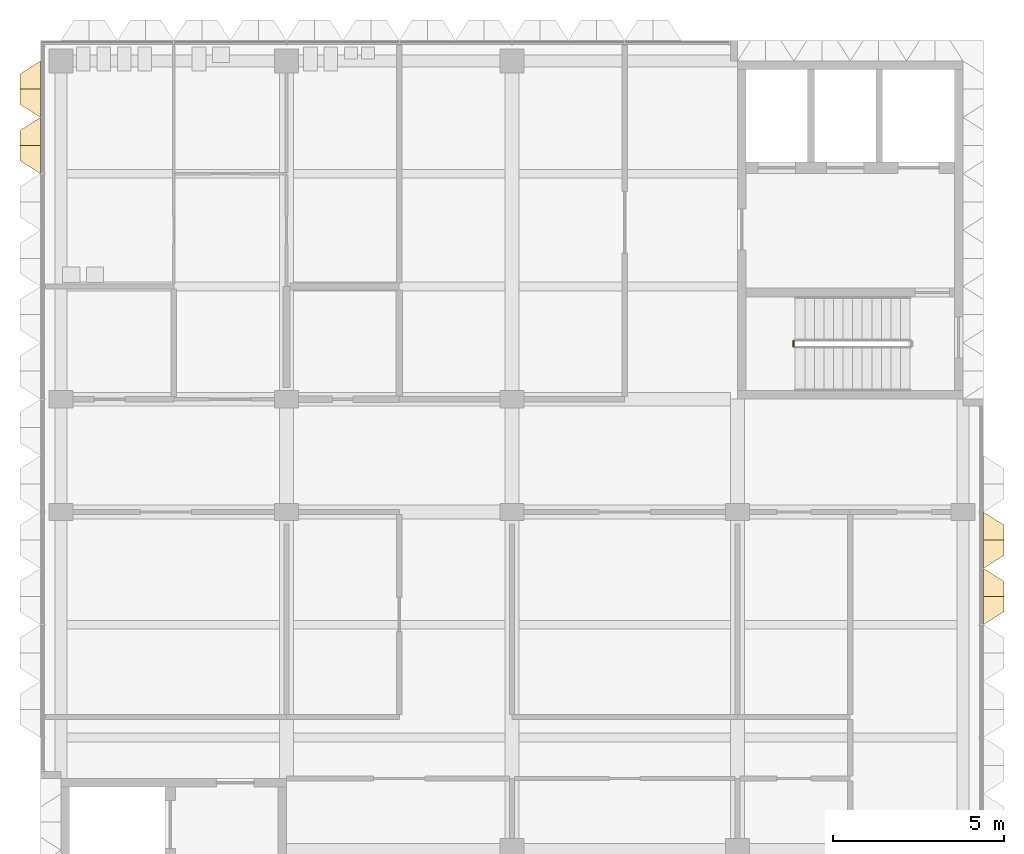
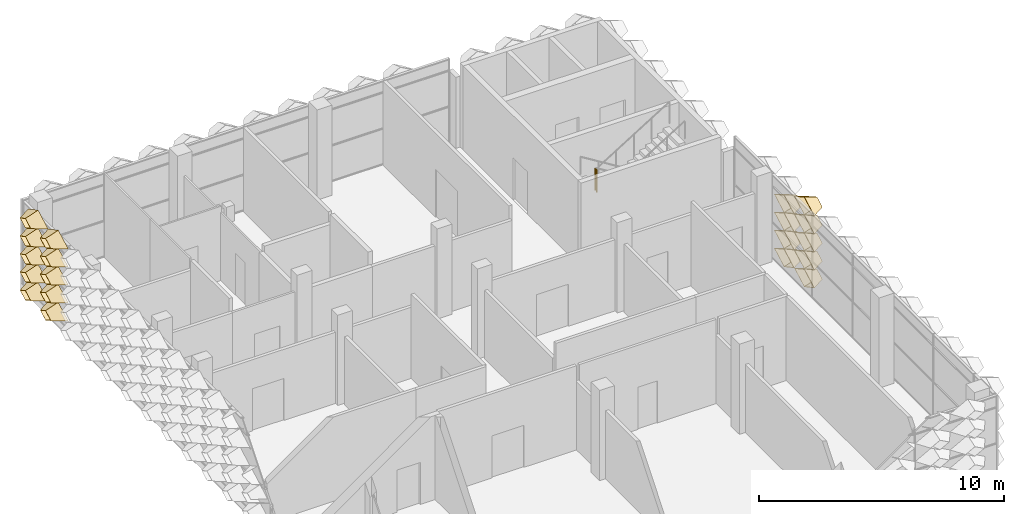
# One storey, part 21 of 28: 19 coverings, 1 railing.
"""IFC4 building model written with IfcOpenShell, lengths in metres."""

from ifc_helpers import new_model, entity, si_unit, direction, frame, origin, origin_2d, place, context, subcontext, project, spatial, circle, extrude, material, layer, layer_set, type_object, element, save


model = new_model("IFC4")

# Units and contexts
model_context = context("Model", 3, precision=1e-05, world=origin(), true_north=direction((0.0, 1.0)))
body_context = subcontext(model_context, "Body", "Model", "MODEL_VIEW")
ifc_project = project(units=[si_unit("LENGTHUNIT", "METRE"), si_unit("AREAUNIT", "SQUARE_METRE"), si_unit("VOLUMEUNIT", "CUBIC_METRE"), si_unit("PLANEANGLEUNIT", "RADIAN"), si_unit("MASSUNIT", "GRAM", prefix="KILO")], contexts=[model_context])

# Site, building, storey
site_placement = place(None, origin())
site = spatial("IfcSite", under=ifc_project, at=site_placement, CompositionType="ELEMENT")
building_placement = place(site_placement, origin())
building = spatial("IfcBuilding", under=site, at=building_placement, Name="Lantern Court Research Institute", CompositionType="ELEMENT")
storey_placement = place(building_placement, frame((0.0, 0.0, 36.89990234375)))
storey = spatial("IfcBuildingStorey", under=building, at=storey_placement, Name="L08", CompositionType="ELEMENT", Elevation=36.89990234375)

# Coverings
ifc_material_1 = material(Name="Anodised aluminium", Category="aluminium")
ifc_layer = layer(ifc_material_1, 0.01611328125)
ifc_layer_set = layer_set([ifc_layer], Name="Anodised aluminium")
covering_type = type_object("IfcCoveringType", Name="Fin cassette 1650 x 900 x 600 aluminium", PredefinedType="CLADDING", material=ifc_layer_set)
covering_1_placement = place(storey_placement, frame((79.800048828125, 7.425048828125, 0.4501953125), z_axis=(1.0, 0.0, 0.0), x_axis=(0.0, 1.0, 0.0)))
cartesian_point_1 = entity("IfcCartesianPoint", [0.824951171875, 0.0])
cartesian_point_2 = entity("IfcCartesianPoint", [0.79150390625, 0.0])
cartesian_point_3 = entity("IfcCartesianPoint", [0.44189453125, 0.0])
cartesian_point_4 = entity("IfcCartesianPoint", [0.43359375, 0.0])
element("IfcCovering", 1, at=covering_1_placement, inside=storey, type_object=covering_type, Name="Fin cassette V5E-L08 1.5", PredefinedType="CLADDING", context=body_context, shape_type="SweptSolid", body=[
    entity("IfcExtrudedAreaSolidTapered", entity("IfcArbitraryProfileDefWithVoids", "AREA", None, entity("IfcPolyline", [cartesian_point_1, entity("IfcCartesianPoint", [0.0, 0.449951171875]), entity("IfcCartesianPoint", [-0.824951171875, 0.0]), entity("IfcCartesianPoint", [0.0, -0.449951171875]), cartesian_point_1]), [entity("IfcPolyline", [cartesian_point_2, entity("IfcCartesianPoint", [0.0, 0.431884765625]), entity("IfcCartesianPoint", [-0.79150390625, 0.0]), entity("IfcCartesianPoint", [0.0, -0.431884765625]), cartesian_point_2])]), entity("IfcAxis2Placement3D", entity("IfcCartesianPoint", [0.0, 0.0, 0.0])), entity("IfcDirection", [0.0, 0.0, 1.0]), 0.60009765625, entity("IfcArbitraryProfileDefWithVoids", "AREA", None, entity("IfcPolyline", [cartesian_point_3, entity("IfcCartesianPoint", [0.0, 0.240966796875]), entity("IfcCartesianPoint", [-0.44189453125, 0.0]), entity("IfcCartesianPoint", [0.0, -0.240966796875]), cartesian_point_3]), [entity("IfcPolyline", [cartesian_point_4, entity("IfcCartesianPoint", [0.0, 0.236572265625]), entity("IfcCartesianPoint", [-0.43359375, 0.0]), entity("IfcCartesianPoint", [0.0, -0.236572265625]), cartesian_point_4])])),
])
covering_2_placement = place(storey_placement, frame((79.800048828125, 9.074951171875, 0.4501953125), z_axis=(1.0, 0.0, 0.0), x_axis=(0.0, 1.0, 0.0)))
cartesian_point_5 = entity("IfcCartesianPoint", [0.824951171875, 0.0])
cartesian_point_6 = entity("IfcCartesianPoint", [0.79150390625, 0.0])
cartesian_point_7 = entity("IfcCartesianPoint", [0.44189453125, 0.0])
cartesian_point_8 = entity("IfcCartesianPoint", [0.43359375, 0.0])
element("IfcCovering", 2, at=covering_2_placement, inside=storey, type_object=covering_type, Name="Fin cassette V5E-L08 1.6", PredefinedType="CLADDING", context=body_context, shape_type="SweptSolid", body=[
    entity("IfcExtrudedAreaSolidTapered", entity("IfcArbitraryProfileDefWithVoids", "AREA", None, entity("IfcPolyline", [cartesian_point_5, entity("IfcCartesianPoint", [0.0, 0.449951171875]), entity("IfcCartesianPoint", [-0.824951171875, 0.0]), entity("IfcCartesianPoint", [0.0, -0.449951171875]), cartesian_point_5]), [entity("IfcPolyline", [cartesian_point_6, entity("IfcCartesianPoint", [0.0, 0.431884765625]), entity("IfcCartesianPoint", [-0.79150390625, 0.0]), entity("IfcCartesianPoint", [0.0, -0.431884765625]), cartesian_point_6])]), entity("IfcAxis2Placement3D", entity("IfcCartesianPoint", [0.0, 0.0, 0.0])), entity("IfcDirection", [0.0, 0.0, 1.0]), 0.60009765625, entity("IfcArbitraryProfileDefWithVoids", "AREA", None, entity("IfcPolyline", [cartesian_point_7, entity("IfcCartesianPoint", [0.0, 0.240966796875]), entity("IfcCartesianPoint", [-0.44189453125, 0.0]), entity("IfcCartesianPoint", [0.0, -0.240966796875]), cartesian_point_7]), [entity("IfcPolyline", [cartesian_point_8, entity("IfcCartesianPoint", [0.0, 0.236572265625]), entity("IfcCartesianPoint", [-0.43359375, 0.0]), entity("IfcCartesianPoint", [0.0, -0.236572265625]), cartesian_point_8])])),
])
covering_3_placement = place(storey_placement, frame((79.800048828125, 7.425048828125, 1.35009765625), z_axis=(1.0, 0.0, 0.0), x_axis=(0.0, 1.0, 0.0)))
cartesian_point_9 = entity("IfcCartesianPoint", [0.824951171875, 0.0])
cartesian_point_10 = entity("IfcCartesianPoint", [0.79150390625, 0.0])
cartesian_point_11 = entity("IfcCartesianPoint", [0.44189453125, 0.0])
cartesian_point_12 = entity("IfcCartesianPoint", [0.43359375, 0.0])
element("IfcCovering", 3, at=covering_3_placement, inside=storey, type_object=covering_type, Name="Fin cassette V5E-L08 2.5", PredefinedType="CLADDING", context=body_context, shape_type="SweptSolid", body=[
    entity("IfcExtrudedAreaSolidTapered", entity("IfcArbitraryProfileDefWithVoids", "AREA", None, entity("IfcPolyline", [cartesian_point_9, entity("IfcCartesianPoint", [0.0, 0.449951171875]), entity("IfcCartesianPoint", [-0.824951171875, 0.0]), entity("IfcCartesianPoint", [0.0, -0.449951171875]), cartesian_point_9]), [entity("IfcPolyline", [cartesian_point_10, entity("IfcCartesianPoint", [0.0, 0.431884765625]), entity("IfcCartesianPoint", [-0.79150390625, 0.0]), entity("IfcCartesianPoint", [0.0, -0.431884765625]), cartesian_point_10])]), entity("IfcAxis2Placement3D", entity("IfcCartesianPoint", [0.0, 0.0, 0.0])), entity("IfcDirection", [0.0, 0.0, 1.0]), 0.60009765625, entity("IfcArbitraryProfileDefWithVoids", "AREA", None, entity("IfcPolyline", [cartesian_point_11, entity("IfcCartesianPoint", [0.0, 0.240966796875]), entity("IfcCartesianPoint", [-0.44189453125, 0.0]), entity("IfcCartesianPoint", [0.0, -0.240966796875]), cartesian_point_11]), [entity("IfcPolyline", [cartesian_point_12, entity("IfcCartesianPoint", [0.0, 0.236572265625]), entity("IfcCartesianPoint", [-0.43359375, 0.0]), entity("IfcCartesianPoint", [0.0, -0.236572265625]), cartesian_point_12])])),
])
covering_4_placement = place(storey_placement, frame((79.800048828125, 9.074951171875, 1.35009765625), z_axis=(1.0, 0.0, 0.0), x_axis=(0.0, 1.0, 0.0)))
cartesian_point_13 = entity("IfcCartesianPoint", [0.824951171875, 0.0])
cartesian_point_14 = entity("IfcCartesianPoint", [0.79150390625, 0.0])
cartesian_point_15 = entity("IfcCartesianPoint", [0.44189453125, 0.0])
cartesian_point_16 = entity("IfcCartesianPoint", [0.43359375, 0.0])
element("IfcCovering", 4, at=covering_4_placement, inside=storey, type_object=covering_type, Name="Fin cassette V5E-L08 2.6", PredefinedType="CLADDING", context=body_context, shape_type="SweptSolid", body=[
    entity("IfcExtrudedAreaSolidTapered", entity("IfcArbitraryProfileDefWithVoids", "AREA", None, entity("IfcPolyline", [cartesian_point_13, entity("IfcCartesianPoint", [0.0, 0.449951171875]), entity("IfcCartesianPoint", [-0.824951171875, 0.0]), entity("IfcCartesianPoint", [0.0, -0.449951171875]), cartesian_point_13]), [entity("IfcPolyline", [cartesian_point_14, entity("IfcCartesianPoint", [0.0, 0.431884765625]), entity("IfcCartesianPoint", [-0.79150390625, 0.0]), entity("IfcCartesianPoint", [0.0, -0.431884765625]), cartesian_point_14])]), entity("IfcAxis2Placement3D", entity("IfcCartesianPoint", [0.0, 0.0, 0.0])), entity("IfcDirection", [0.0, 0.0, 1.0]), 0.60009765625, entity("IfcArbitraryProfileDefWithVoids", "AREA", None, entity("IfcPolyline", [cartesian_point_15, entity("IfcCartesianPoint", [0.0, 0.240966796875]), entity("IfcCartesianPoint", [-0.44189453125, 0.0]), entity("IfcCartesianPoint", [0.0, -0.240966796875]), cartesian_point_15]), [entity("IfcPolyline", [cartesian_point_16, entity("IfcCartesianPoint", [0.0, 0.236572265625]), entity("IfcCartesianPoint", [-0.43359375, 0.0]), entity("IfcCartesianPoint", [0.0, -0.236572265625]), cartesian_point_16])])),
])
covering_5_placement = place(storey_placement, frame((79.800048828125, 7.425048828125, 2.25), z_axis=(1.0, 0.0, 0.0), x_axis=(0.0, 1.0, 0.0)))
cartesian_point_17 = entity("IfcCartesianPoint", [0.824951171875, 0.0])
cartesian_point_18 = entity("IfcCartesianPoint", [0.79150390625, 0.0])
cartesian_point_19 = entity("IfcCartesianPoint", [0.44189453125, 0.0])
cartesian_point_20 = entity("IfcCartesianPoint", [0.43359375, 0.0])
element("IfcCovering", 5, at=covering_5_placement, inside=storey, type_object=covering_type, Name="Fin cassette V5E-L08 3.5", PredefinedType="CLADDING", context=body_context, shape_type="SweptSolid", body=[
    entity("IfcExtrudedAreaSolidTapered", entity("IfcArbitraryProfileDefWithVoids", "AREA", None, entity("IfcPolyline", [cartesian_point_17, entity("IfcCartesianPoint", [0.0, 0.449951171875]), entity("IfcCartesianPoint", [-0.824951171875, 0.0]), entity("IfcCartesianPoint", [0.0, -0.449951171875]), cartesian_point_17]), [entity("IfcPolyline", [cartesian_point_18, entity("IfcCartesianPoint", [0.0, 0.431884765625]), entity("IfcCartesianPoint", [-0.79150390625, 0.0]), entity("IfcCartesianPoint", [0.0, -0.431884765625]), cartesian_point_18])]), entity("IfcAxis2Placement3D", entity("IfcCartesianPoint", [0.0, 0.0, 0.0])), entity("IfcDirection", [0.0, 0.0, 1.0]), 0.60009765625, entity("IfcArbitraryProfileDefWithVoids", "AREA", None, entity("IfcPolyline", [cartesian_point_19, entity("IfcCartesianPoint", [0.0, 0.240966796875]), entity("IfcCartesianPoint", [-0.44189453125, 0.0]), entity("IfcCartesianPoint", [0.0, -0.240966796875]), cartesian_point_19]), [entity("IfcPolyline", [cartesian_point_20, entity("IfcCartesianPoint", [0.0, 0.236572265625]), entity("IfcCartesianPoint", [-0.43359375, 0.0]), entity("IfcCartesianPoint", [0.0, -0.236572265625]), cartesian_point_20])])),
])
covering_6_placement = place(storey_placement, frame((79.800048828125, 9.074951171875, 2.25), z_axis=(1.0, 0.0, 0.0), x_axis=(0.0, 1.0, 0.0)))
cartesian_point_21 = entity("IfcCartesianPoint", [0.824951171875, 0.0])
cartesian_point_22 = entity("IfcCartesianPoint", [0.79150390625, 0.0])
cartesian_point_23 = entity("IfcCartesianPoint", [0.44189453125, 0.0])
cartesian_point_24 = entity("IfcCartesianPoint", [0.43359375, 0.0])
element("IfcCovering", 6, at=covering_6_placement, inside=storey, type_object=covering_type, Name="Fin cassette V5E-L08 3.6", PredefinedType="CLADDING", context=body_context, shape_type="SweptSolid", body=[
    entity("IfcExtrudedAreaSolidTapered", entity("IfcArbitraryProfileDefWithVoids", "AREA", None, entity("IfcPolyline", [cartesian_point_21, entity("IfcCartesianPoint", [0.0, 0.449951171875]), entity("IfcCartesianPoint", [-0.824951171875, 0.0]), entity("IfcCartesianPoint", [0.0, -0.449951171875]), cartesian_point_21]), [entity("IfcPolyline", [cartesian_point_22, entity("IfcCartesianPoint", [0.0, 0.431884765625]), entity("IfcCartesianPoint", [-0.79150390625, 0.0]), entity("IfcCartesianPoint", [0.0, -0.431884765625]), cartesian_point_22])]), entity("IfcAxis2Placement3D", entity("IfcCartesianPoint", [0.0, 0.0, 0.0])), entity("IfcDirection", [0.0, 0.0, 1.0]), 0.60009765625, entity("IfcArbitraryProfileDefWithVoids", "AREA", None, entity("IfcPolyline", [cartesian_point_23, entity("IfcCartesianPoint", [0.0, 0.240966796875]), entity("IfcCartesianPoint", [-0.44189453125, 0.0]), entity("IfcCartesianPoint", [0.0, -0.240966796875]), cartesian_point_23]), [entity("IfcPolyline", [cartesian_point_24, entity("IfcCartesianPoint", [0.0, 0.236572265625]), entity("IfcCartesianPoint", [-0.43359375, 0.0]), entity("IfcCartesianPoint", [0.0, -0.236572265625]), cartesian_point_24])])),
])
covering_7_placement = place(storey_placement, frame((79.800048828125, 7.425048828125, 3.150146484375), z_axis=(1.0, 0.0, 0.0), x_axis=(0.0, 1.0, 0.0)))
cartesian_point_25 = entity("IfcCartesianPoint", [0.824951171875, 0.0])
cartesian_point_26 = entity("IfcCartesianPoint", [0.79150390625, 0.0])
cartesian_point_27 = entity("IfcCartesianPoint", [0.44189453125, 0.0])
cartesian_point_28 = entity("IfcCartesianPoint", [0.43359375, 0.0])
element("IfcCovering", 7, at=covering_7_placement, inside=storey, type_object=covering_type, Name="Fin cassette V5E-L08 4.5", PredefinedType="CLADDING", context=body_context, shape_type="SweptSolid", body=[
    entity("IfcExtrudedAreaSolidTapered", entity("IfcArbitraryProfileDefWithVoids", "AREA", None, entity("IfcPolyline", [cartesian_point_25, entity("IfcCartesianPoint", [0.0, 0.449951171875]), entity("IfcCartesianPoint", [-0.824951171875, 0.0]), entity("IfcCartesianPoint", [0.0, -0.449951171875]), cartesian_point_25]), [entity("IfcPolyline", [cartesian_point_26, entity("IfcCartesianPoint", [0.0, 0.431884765625]), entity("IfcCartesianPoint", [-0.79150390625, 0.0]), entity("IfcCartesianPoint", [0.0, -0.431884765625]), cartesian_point_26])]), entity("IfcAxis2Placement3D", entity("IfcCartesianPoint", [0.0, 0.0, 0.0])), entity("IfcDirection", [0.0, 0.0, 1.0]), 0.60009765625, entity("IfcArbitraryProfileDefWithVoids", "AREA", None, entity("IfcPolyline", [cartesian_point_27, entity("IfcCartesianPoint", [0.0, 0.240966796875]), entity("IfcCartesianPoint", [-0.44189453125, 0.0]), entity("IfcCartesianPoint", [0.0, -0.240966796875]), cartesian_point_27]), [entity("IfcPolyline", [cartesian_point_28, entity("IfcCartesianPoint", [0.0, 0.236572265625]), entity("IfcCartesianPoint", [-0.43359375, 0.0]), entity("IfcCartesianPoint", [0.0, -0.236572265625]), cartesian_point_28])])),
])
covering_8_placement = place(storey_placement, frame((79.800048828125, 9.074951171875, 3.150146484375), z_axis=(1.0, 0.0, 0.0), x_axis=(0.0, 1.0, 0.0)))
cartesian_point_29 = entity("IfcCartesianPoint", [0.824951171875, 0.0])
cartesian_point_30 = entity("IfcCartesianPoint", [0.79150390625, 0.0])
cartesian_point_31 = entity("IfcCartesianPoint", [0.44189453125, 0.0])
cartesian_point_32 = entity("IfcCartesianPoint", [0.43359375, 0.0])
element("IfcCovering", 8, at=covering_8_placement, inside=storey, type_object=covering_type, Name="Fin cassette V5E-L08 4.6", PredefinedType="CLADDING", context=body_context, shape_type="SweptSolid", body=[
    entity("IfcExtrudedAreaSolidTapered", entity("IfcArbitraryProfileDefWithVoids", "AREA", None, entity("IfcPolyline", [cartesian_point_29, entity("IfcCartesianPoint", [0.0, 0.449951171875]), entity("IfcCartesianPoint", [-0.824951171875, 0.0]), entity("IfcCartesianPoint", [0.0, -0.449951171875]), cartesian_point_29]), [entity("IfcPolyline", [cartesian_point_30, entity("IfcCartesianPoint", [0.0, 0.431884765625]), entity("IfcCartesianPoint", [-0.79150390625, 0.0]), entity("IfcCartesianPoint", [0.0, -0.431884765625]), cartesian_point_30])]), entity("IfcAxis2Placement3D", entity("IfcCartesianPoint", [0.0, 0.0, 0.0])), entity("IfcDirection", [0.0, 0.0, 1.0]), 0.60009765625, entity("IfcArbitraryProfileDefWithVoids", "AREA", None, entity("IfcPolyline", [cartesian_point_31, entity("IfcCartesianPoint", [0.0, 0.240966796875]), entity("IfcCartesianPoint", [-0.44189453125, 0.0]), entity("IfcCartesianPoint", [0.0, -0.240966796875]), cartesian_point_31]), [entity("IfcPolyline", [cartesian_point_32, entity("IfcCartesianPoint", [0.0, 0.236572265625]), entity("IfcCartesianPoint", [-0.43359375, 0.0]), entity("IfcCartesianPoint", [0.0, -0.236572265625]), cartesian_point_32])])),
])
covering_9_placement = place(storey_placement, frame((79.800048828125, 7.425048828125, 4.050048828125), z_axis=(1.0, 0.0, 0.0), x_axis=(0.0, 1.0, 0.0)))
cartesian_point_33 = entity("IfcCartesianPoint", [0.824951171875, 0.0])
cartesian_point_34 = entity("IfcCartesianPoint", [0.79150390625, 0.0])
cartesian_point_35 = entity("IfcCartesianPoint", [0.44189453125, 0.0])
cartesian_point_36 = entity("IfcCartesianPoint", [0.43359375, 0.0])
element("IfcCovering", 9, at=covering_9_placement, inside=storey, type_object=covering_type, Name="Fin cassette V5E-L08 5.5", PredefinedType="CLADDING", context=body_context, shape_type="SweptSolid", body=[
    entity("IfcExtrudedAreaSolidTapered", entity("IfcArbitraryProfileDefWithVoids", "AREA", None, entity("IfcPolyline", [cartesian_point_33, entity("IfcCartesianPoint", [0.0, 0.449951171875]), entity("IfcCartesianPoint", [-0.824951171875, 0.0]), entity("IfcCartesianPoint", [0.0, -0.449951171875]), cartesian_point_33]), [entity("IfcPolyline", [cartesian_point_34, entity("IfcCartesianPoint", [0.0, 0.431884765625]), entity("IfcCartesianPoint", [-0.79150390625, 0.0]), entity("IfcCartesianPoint", [0.0, -0.431884765625]), cartesian_point_34])]), entity("IfcAxis2Placement3D", entity("IfcCartesianPoint", [0.0, 0.0, 0.0])), entity("IfcDirection", [0.0, 0.0, 1.0]), 0.60009765625, entity("IfcArbitraryProfileDefWithVoids", "AREA", None, entity("IfcPolyline", [cartesian_point_35, entity("IfcCartesianPoint", [0.0, 0.240966796875]), entity("IfcCartesianPoint", [-0.44189453125, 0.0]), entity("IfcCartesianPoint", [0.0, -0.240966796875]), cartesian_point_35]), [entity("IfcPolyline", [cartesian_point_36, entity("IfcCartesianPoint", [0.0, 0.236572265625]), entity("IfcCartesianPoint", [-0.43359375, 0.0]), entity("IfcCartesianPoint", [0.0, -0.236572265625]), cartesian_point_36])])),
])
covering_10_placement = place(storey_placement, frame((52.199951171875, 20.625, 0.4501953125), z_axis=(-1.0, 0.0, 0.0), x_axis=(0.0, -1.0, 0.0)))
cartesian_point_37 = entity("IfcCartesianPoint", [0.824951171875, 0.0])
cartesian_point_38 = entity("IfcCartesianPoint", [0.79150390625, 0.0])
cartesian_point_39 = entity("IfcCartesianPoint", [0.44189453125, 0.0])
cartesian_point_40 = entity("IfcCartesianPoint", [0.43359375, 0.0])
element("IfcCovering", 10, at=covering_10_placement, inside=storey, type_object=covering_type, Name="Fin cassette V5W-L08 1.13", PredefinedType="CLADDING", context=body_context, shape_type="SweptSolid", body=[
    entity("IfcExtrudedAreaSolidTapered", entity("IfcArbitraryProfileDefWithVoids", "AREA", None, entity("IfcPolyline", [cartesian_point_37, entity("IfcCartesianPoint", [0.0, 0.449951171875]), entity("IfcCartesianPoint", [-0.824951171875, 0.0]), entity("IfcCartesianPoint", [0.0, -0.449951171875]), cartesian_point_37]), [entity("IfcPolyline", [cartesian_point_38, entity("IfcCartesianPoint", [0.0, 0.431884765625]), entity("IfcCartesianPoint", [-0.79150390625, 0.0]), entity("IfcCartesianPoint", [0.0, -0.431884765625]), cartesian_point_38])]), entity("IfcAxis2Placement3D", entity("IfcCartesianPoint", [0.0, 0.0, 0.0])), entity("IfcDirection", [0.0, 0.0, 1.0]), 0.60009765625, entity("IfcArbitraryProfileDefWithVoids", "AREA", None, entity("IfcPolyline", [cartesian_point_39, entity("IfcCartesianPoint", [0.0, 0.240966796875]), entity("IfcCartesianPoint", [-0.44189453125, 0.0]), entity("IfcCartesianPoint", [0.0, -0.240966796875]), cartesian_point_39]), [entity("IfcPolyline", [cartesian_point_40, entity("IfcCartesianPoint", [0.0, 0.236572265625]), entity("IfcCartesianPoint", [-0.43359375, 0.0]), entity("IfcCartesianPoint", [0.0, -0.236572265625]), cartesian_point_40])])),
])
covering_11_placement = place(storey_placement, frame((52.199951171875, 22.27490234375, 0.4501953125), z_axis=(-1.0, 0.0, 0.0), x_axis=(0.0, -1.0, 0.0)))
cartesian_point_41 = entity("IfcCartesianPoint", [0.824951171875, 0.0])
cartesian_point_42 = entity("IfcCartesianPoint", [0.79150390625, 0.0])
cartesian_point_43 = entity("IfcCartesianPoint", [0.44189453125, 0.0])
cartesian_point_44 = entity("IfcCartesianPoint", [0.43359375, 0.0])
element("IfcCovering", 11, at=covering_11_placement, inside=storey, type_object=covering_type, Name="Fin cassette V5W-L08 1.14", PredefinedType="CLADDING", context=body_context, shape_type="SweptSolid", body=[
    entity("IfcExtrudedAreaSolidTapered", entity("IfcArbitraryProfileDefWithVoids", "AREA", None, entity("IfcPolyline", [cartesian_point_41, entity("IfcCartesianPoint", [0.0, 0.449951171875]), entity("IfcCartesianPoint", [-0.824951171875, 0.0]), entity("IfcCartesianPoint", [0.0, -0.449951171875]), cartesian_point_41]), [entity("IfcPolyline", [cartesian_point_42, entity("IfcCartesianPoint", [0.0, 0.431884765625]), entity("IfcCartesianPoint", [-0.79150390625, 0.0]), entity("IfcCartesianPoint", [0.0, -0.431884765625]), cartesian_point_42])]), entity("IfcAxis2Placement3D", entity("IfcCartesianPoint", [0.0, 0.0, 0.0])), entity("IfcDirection", [0.0, 0.0, 1.0]), 0.60009765625, entity("IfcArbitraryProfileDefWithVoids", "AREA", None, entity("IfcPolyline", [cartesian_point_43, entity("IfcCartesianPoint", [0.0, 0.240966796875]), entity("IfcCartesianPoint", [-0.44189453125, 0.0]), entity("IfcCartesianPoint", [0.0, -0.240966796875]), cartesian_point_43]), [entity("IfcPolyline", [cartesian_point_44, entity("IfcCartesianPoint", [0.0, 0.236572265625]), entity("IfcCartesianPoint", [-0.43359375, 0.0]), entity("IfcCartesianPoint", [0.0, -0.236572265625]), cartesian_point_44])])),
])
covering_12_placement = place(storey_placement, frame((52.199951171875, 20.625, 1.35009765625), z_axis=(-1.0, 0.0, 0.0), x_axis=(0.0, -1.0, 0.0)))
cartesian_point_45 = entity("IfcCartesianPoint", [0.824951171875, 0.0])
cartesian_point_46 = entity("IfcCartesianPoint", [0.79150390625, 0.0])
cartesian_point_47 = entity("IfcCartesianPoint", [0.44189453125, 0.0])
cartesian_point_48 = entity("IfcCartesianPoint", [0.43359375, 0.0])
element("IfcCovering", 12, at=covering_12_placement, inside=storey, type_object=covering_type, Name="Fin cassette V5W-L08 2.13", PredefinedType="CLADDING", context=body_context, shape_type="SweptSolid", body=[
    entity("IfcExtrudedAreaSolidTapered", entity("IfcArbitraryProfileDefWithVoids", "AREA", None, entity("IfcPolyline", [cartesian_point_45, entity("IfcCartesianPoint", [0.0, 0.449951171875]), entity("IfcCartesianPoint", [-0.824951171875, 0.0]), entity("IfcCartesianPoint", [0.0, -0.449951171875]), cartesian_point_45]), [entity("IfcPolyline", [cartesian_point_46, entity("IfcCartesianPoint", [0.0, 0.431884765625]), entity("IfcCartesianPoint", [-0.79150390625, 0.0]), entity("IfcCartesianPoint", [0.0, -0.431884765625]), cartesian_point_46])]), entity("IfcAxis2Placement3D", entity("IfcCartesianPoint", [0.0, 0.0, 0.0])), entity("IfcDirection", [0.0, 0.0, 1.0]), 0.60009765625, entity("IfcArbitraryProfileDefWithVoids", "AREA", None, entity("IfcPolyline", [cartesian_point_47, entity("IfcCartesianPoint", [0.0, 0.240966796875]), entity("IfcCartesianPoint", [-0.44189453125, 0.0]), entity("IfcCartesianPoint", [0.0, -0.240966796875]), cartesian_point_47]), [entity("IfcPolyline", [cartesian_point_48, entity("IfcCartesianPoint", [0.0, 0.236572265625]), entity("IfcCartesianPoint", [-0.43359375, 0.0]), entity("IfcCartesianPoint", [0.0, -0.236572265625]), cartesian_point_48])])),
])
covering_13_placement = place(storey_placement, frame((52.199951171875, 22.27490234375, 1.35009765625), z_axis=(-1.0, 0.0, 0.0), x_axis=(0.0, -1.0, 0.0)))
cartesian_point_49 = entity("IfcCartesianPoint", [0.824951171875, 0.0])
cartesian_point_50 = entity("IfcCartesianPoint", [0.79150390625, 0.0])
cartesian_point_51 = entity("IfcCartesianPoint", [0.44189453125, 0.0])
cartesian_point_52 = entity("IfcCartesianPoint", [0.43359375, 0.0])
element("IfcCovering", 13, at=covering_13_placement, inside=storey, type_object=covering_type, Name="Fin cassette V5W-L08 2.14", PredefinedType="CLADDING", context=body_context, shape_type="SweptSolid", body=[
    entity("IfcExtrudedAreaSolidTapered", entity("IfcArbitraryProfileDefWithVoids", "AREA", None, entity("IfcPolyline", [cartesian_point_49, entity("IfcCartesianPoint", [0.0, 0.449951171875]), entity("IfcCartesianPoint", [-0.824951171875, 0.0]), entity("IfcCartesianPoint", [0.0, -0.449951171875]), cartesian_point_49]), [entity("IfcPolyline", [cartesian_point_50, entity("IfcCartesianPoint", [0.0, 0.431884765625]), entity("IfcCartesianPoint", [-0.79150390625, 0.0]), entity("IfcCartesianPoint", [0.0, -0.431884765625]), cartesian_point_50])]), entity("IfcAxis2Placement3D", entity("IfcCartesianPoint", [0.0, 0.0, 0.0])), entity("IfcDirection", [0.0, 0.0, 1.0]), 0.60009765625, entity("IfcArbitraryProfileDefWithVoids", "AREA", None, entity("IfcPolyline", [cartesian_point_51, entity("IfcCartesianPoint", [0.0, 0.240966796875]), entity("IfcCartesianPoint", [-0.44189453125, 0.0]), entity("IfcCartesianPoint", [0.0, -0.240966796875]), cartesian_point_51]), [entity("IfcPolyline", [cartesian_point_52, entity("IfcCartesianPoint", [0.0, 0.236572265625]), entity("IfcCartesianPoint", [-0.43359375, 0.0]), entity("IfcCartesianPoint", [0.0, -0.236572265625]), cartesian_point_52])])),
])
covering_14_placement = place(storey_placement, frame((52.199951171875, 20.625, 2.25), z_axis=(-1.0, 0.0, 0.0), x_axis=(0.0, -1.0, 0.0)))
cartesian_point_53 = entity("IfcCartesianPoint", [0.824951171875, 0.0])
cartesian_point_54 = entity("IfcCartesianPoint", [0.79150390625, 0.0])
cartesian_point_55 = entity("IfcCartesianPoint", [0.44189453125, 0.0])
cartesian_point_56 = entity("IfcCartesianPoint", [0.43359375, 0.0])
element("IfcCovering", 14, at=covering_14_placement, inside=storey, type_object=covering_type, Name="Fin cassette V5W-L08 3.13", PredefinedType="CLADDING", context=body_context, shape_type="SweptSolid", body=[
    entity("IfcExtrudedAreaSolidTapered", entity("IfcArbitraryProfileDefWithVoids", "AREA", None, entity("IfcPolyline", [cartesian_point_53, entity("IfcCartesianPoint", [0.0, 0.449951171875]), entity("IfcCartesianPoint", [-0.824951171875, 0.0]), entity("IfcCartesianPoint", [0.0, -0.449951171875]), cartesian_point_53]), [entity("IfcPolyline", [cartesian_point_54, entity("IfcCartesianPoint", [0.0, 0.431884765625]), entity("IfcCartesianPoint", [-0.79150390625, 0.0]), entity("IfcCartesianPoint", [0.0, -0.431884765625]), cartesian_point_54])]), entity("IfcAxis2Placement3D", entity("IfcCartesianPoint", [0.0, 0.0, 0.0])), entity("IfcDirection", [0.0, 0.0, 1.0]), 0.60009765625, entity("IfcArbitraryProfileDefWithVoids", "AREA", None, entity("IfcPolyline", [cartesian_point_55, entity("IfcCartesianPoint", [0.0, 0.240966796875]), entity("IfcCartesianPoint", [-0.44189453125, 0.0]), entity("IfcCartesianPoint", [0.0, -0.240966796875]), cartesian_point_55]), [entity("IfcPolyline", [cartesian_point_56, entity("IfcCartesianPoint", [0.0, 0.236572265625]), entity("IfcCartesianPoint", [-0.43359375, 0.0]), entity("IfcCartesianPoint", [0.0, -0.236572265625]), cartesian_point_56])])),
])
covering_15_placement = place(storey_placement, frame((52.199951171875, 22.27490234375, 2.25), z_axis=(-1.0, 0.0, 0.0), x_axis=(0.0, -1.0, 0.0)))
cartesian_point_57 = entity("IfcCartesianPoint", [0.824951171875, 0.0])
cartesian_point_58 = entity("IfcCartesianPoint", [0.79150390625, 0.0])
cartesian_point_59 = entity("IfcCartesianPoint", [0.44189453125, 0.0])
cartesian_point_60 = entity("IfcCartesianPoint", [0.43359375, 0.0])
element("IfcCovering", 15, at=covering_15_placement, inside=storey, type_object=covering_type, Name="Fin cassette V5W-L08 3.14", PredefinedType="CLADDING", context=body_context, shape_type="SweptSolid", body=[
    entity("IfcExtrudedAreaSolidTapered", entity("IfcArbitraryProfileDefWithVoids", "AREA", None, entity("IfcPolyline", [cartesian_point_57, entity("IfcCartesianPoint", [0.0, 0.449951171875]), entity("IfcCartesianPoint", [-0.824951171875, 0.0]), entity("IfcCartesianPoint", [0.0, -0.449951171875]), cartesian_point_57]), [entity("IfcPolyline", [cartesian_point_58, entity("IfcCartesianPoint", [0.0, 0.431884765625]), entity("IfcCartesianPoint", [-0.79150390625, 0.0]), entity("IfcCartesianPoint", [0.0, -0.431884765625]), cartesian_point_58])]), entity("IfcAxis2Placement3D", entity("IfcCartesianPoint", [0.0, 0.0, 0.0])), entity("IfcDirection", [0.0, 0.0, 1.0]), 0.60009765625, entity("IfcArbitraryProfileDefWithVoids", "AREA", None, entity("IfcPolyline", [cartesian_point_59, entity("IfcCartesianPoint", [0.0, 0.240966796875]), entity("IfcCartesianPoint", [-0.44189453125, 0.0]), entity("IfcCartesianPoint", [0.0, -0.240966796875]), cartesian_point_59]), [entity("IfcPolyline", [cartesian_point_60, entity("IfcCartesianPoint", [0.0, 0.236572265625]), entity("IfcCartesianPoint", [-0.43359375, 0.0]), entity("IfcCartesianPoint", [0.0, -0.236572265625]), cartesian_point_60])])),
])
covering_16_placement = place(storey_placement, frame((52.199951171875, 20.625, 3.150146484375), z_axis=(-1.0, 0.0, 0.0), x_axis=(0.0, -1.0, 0.0)))
cartesian_point_61 = entity("IfcCartesianPoint", [0.824951171875, 0.0])
cartesian_point_62 = entity("IfcCartesianPoint", [0.79150390625, 0.0])
cartesian_point_63 = entity("IfcCartesianPoint", [0.44189453125, 0.0])
cartesian_point_64 = entity("IfcCartesianPoint", [0.43359375, 0.0])
element("IfcCovering", 16, at=covering_16_placement, inside=storey, type_object=covering_type, Name="Fin cassette V5W-L08 4.13", PredefinedType="CLADDING", context=body_context, shape_type="SweptSolid", body=[
    entity("IfcExtrudedAreaSolidTapered", entity("IfcArbitraryProfileDefWithVoids", "AREA", None, entity("IfcPolyline", [cartesian_point_61, entity("IfcCartesianPoint", [0.0, 0.449951171875]), entity("IfcCartesianPoint", [-0.824951171875, 0.0]), entity("IfcCartesianPoint", [0.0, -0.449951171875]), cartesian_point_61]), [entity("IfcPolyline", [cartesian_point_62, entity("IfcCartesianPoint", [0.0, 0.431884765625]), entity("IfcCartesianPoint", [-0.79150390625, 0.0]), entity("IfcCartesianPoint", [0.0, -0.431884765625]), cartesian_point_62])]), entity("IfcAxis2Placement3D", entity("IfcCartesianPoint", [0.0, 0.0, 0.0])), entity("IfcDirection", [0.0, 0.0, 1.0]), 0.60009765625, entity("IfcArbitraryProfileDefWithVoids", "AREA", None, entity("IfcPolyline", [cartesian_point_63, entity("IfcCartesianPoint", [0.0, 0.240966796875]), entity("IfcCartesianPoint", [-0.44189453125, 0.0]), entity("IfcCartesianPoint", [0.0, -0.240966796875]), cartesian_point_63]), [entity("IfcPolyline", [cartesian_point_64, entity("IfcCartesianPoint", [0.0, 0.236572265625]), entity("IfcCartesianPoint", [-0.43359375, 0.0]), entity("IfcCartesianPoint", [0.0, -0.236572265625]), cartesian_point_64])])),
])
covering_17_placement = place(storey_placement, frame((52.199951171875, 22.27490234375, 3.150146484375), z_axis=(-1.0, 0.0, 0.0), x_axis=(0.0, -1.0, 0.0)))
cartesian_point_65 = entity("IfcCartesianPoint", [0.824951171875, 0.0])
cartesian_point_66 = entity("IfcCartesianPoint", [0.79150390625, 0.0])
cartesian_point_67 = entity("IfcCartesianPoint", [0.44189453125, 0.0])
cartesian_point_68 = entity("IfcCartesianPoint", [0.43359375, 0.0])
element("IfcCovering", 17, at=covering_17_placement, inside=storey, type_object=covering_type, Name="Fin cassette V5W-L08 4.14", PredefinedType="CLADDING", context=body_context, shape_type="SweptSolid", body=[
    entity("IfcExtrudedAreaSolidTapered", entity("IfcArbitraryProfileDefWithVoids", "AREA", None, entity("IfcPolyline", [cartesian_point_65, entity("IfcCartesianPoint", [0.0, 0.449951171875]), entity("IfcCartesianPoint", [-0.824951171875, 0.0]), entity("IfcCartesianPoint", [0.0, -0.449951171875]), cartesian_point_65]), [entity("IfcPolyline", [cartesian_point_66, entity("IfcCartesianPoint", [0.0, 0.431884765625]), entity("IfcCartesianPoint", [-0.79150390625, 0.0]), entity("IfcCartesianPoint", [0.0, -0.431884765625]), cartesian_point_66])]), entity("IfcAxis2Placement3D", entity("IfcCartesianPoint", [0.0, 0.0, 0.0])), entity("IfcDirection", [0.0, 0.0, 1.0]), 0.60009765625, entity("IfcArbitraryProfileDefWithVoids", "AREA", None, entity("IfcPolyline", [cartesian_point_67, entity("IfcCartesianPoint", [0.0, 0.240966796875]), entity("IfcCartesianPoint", [-0.44189453125, 0.0]), entity("IfcCartesianPoint", [0.0, -0.240966796875]), cartesian_point_67]), [entity("IfcPolyline", [cartesian_point_68, entity("IfcCartesianPoint", [0.0, 0.236572265625]), entity("IfcCartesianPoint", [-0.43359375, 0.0]), entity("IfcCartesianPoint", [0.0, -0.236572265625]), cartesian_point_68])])),
])
covering_18_placement = place(storey_placement, frame((52.199951171875, 20.625, 4.050048828125), z_axis=(-1.0, 0.0, 0.0), x_axis=(0.0, -1.0, 0.0)))
cartesian_point_69 = entity("IfcCartesianPoint", [0.824951171875, 0.0])
cartesian_point_70 = entity("IfcCartesianPoint", [0.79150390625, 0.0])
cartesian_point_71 = entity("IfcCartesianPoint", [0.44189453125, 0.0])
cartesian_point_72 = entity("IfcCartesianPoint", [0.43359375, 0.0])
element("IfcCovering", 18, at=covering_18_placement, inside=storey, type_object=covering_type, Name="Fin cassette V5W-L08 5.13", PredefinedType="CLADDING", context=body_context, shape_type="SweptSolid", body=[
    entity("IfcExtrudedAreaSolidTapered", entity("IfcArbitraryProfileDefWithVoids", "AREA", None, entity("IfcPolyline", [cartesian_point_69, entity("IfcCartesianPoint", [0.0, 0.449951171875]), entity("IfcCartesianPoint", [-0.824951171875, 0.0]), entity("IfcCartesianPoint", [0.0, -0.449951171875]), cartesian_point_69]), [entity("IfcPolyline", [cartesian_point_70, entity("IfcCartesianPoint", [0.0, 0.431884765625]), entity("IfcCartesianPoint", [-0.79150390625, 0.0]), entity("IfcCartesianPoint", [0.0, -0.431884765625]), cartesian_point_70])]), entity("IfcAxis2Placement3D", entity("IfcCartesianPoint", [0.0, 0.0, 0.0])), entity("IfcDirection", [0.0, 0.0, 1.0]), 0.60009765625, entity("IfcArbitraryProfileDefWithVoids", "AREA", None, entity("IfcPolyline", [cartesian_point_71, entity("IfcCartesianPoint", [0.0, 0.240966796875]), entity("IfcCartesianPoint", [-0.44189453125, 0.0]), entity("IfcCartesianPoint", [0.0, -0.240966796875]), cartesian_point_71]), [entity("IfcPolyline", [cartesian_point_72, entity("IfcCartesianPoint", [0.0, 0.236572265625]), entity("IfcCartesianPoint", [-0.43359375, 0.0]), entity("IfcCartesianPoint", [0.0, -0.236572265625]), cartesian_point_72])])),
])
covering_19_placement = place(storey_placement, frame((52.199951171875, 22.27490234375, 4.050048828125), z_axis=(-1.0, 0.0, 0.0), x_axis=(0.0, -1.0, 0.0)))
cartesian_point_73 = entity("IfcCartesianPoint", [0.824951171875, 0.0])
cartesian_point_74 = entity("IfcCartesianPoint", [0.79150390625, 0.0])
cartesian_point_75 = entity("IfcCartesianPoint", [0.44189453125, 0.0])
cartesian_point_76 = entity("IfcCartesianPoint", [0.43359375, 0.0])
element("IfcCovering", 19, at=covering_19_placement, inside=storey, type_object=covering_type, Name="Fin cassette V5W-L08 5.14", PredefinedType="CLADDING", context=body_context, shape_type="SweptSolid", body=[
    entity("IfcExtrudedAreaSolidTapered", entity("IfcArbitraryProfileDefWithVoids", "AREA", None, entity("IfcPolyline", [cartesian_point_73, entity("IfcCartesianPoint", [0.0, 0.449951171875]), entity("IfcCartesianPoint", [-0.824951171875, 0.0]), entity("IfcCartesianPoint", [0.0, -0.449951171875]), cartesian_point_73]), [entity("IfcPolyline", [cartesian_point_74, entity("IfcCartesianPoint", [0.0, 0.431884765625]), entity("IfcCartesianPoint", [-0.79150390625, 0.0]), entity("IfcCartesianPoint", [0.0, -0.431884765625]), cartesian_point_74])]), entity("IfcAxis2Placement3D", entity("IfcCartesianPoint", [0.0, 0.0, 0.0])), entity("IfcDirection", [0.0, 0.0, 1.0]), 0.60009765625, entity("IfcArbitraryProfileDefWithVoids", "AREA", None, entity("IfcPolyline", [cartesian_point_75, entity("IfcCartesianPoint", [0.0, 0.240966796875]), entity("IfcCartesianPoint", [-0.44189453125, 0.0]), entity("IfcCartesianPoint", [0.0, -0.240966796875]), cartesian_point_75]), [entity("IfcPolyline", [cartesian_point_76, entity("IfcCartesianPoint", [0.0, 0.236572265625]), entity("IfcCartesianPoint", [-0.43359375, 0.0]), entity("IfcCartesianPoint", [0.0, -0.236572265625]), cartesian_point_76])])),
])

# Railing
ifc_material_2 = material(Name="Structural steel S355", Category="steel")
railing_type = type_object("IfcRailingType", Name="Stair guard 1100 steel", PredefinedType="GUARDRAIL", material=ifc_material_2)
railing_placement = place(storey_placement, frame((74.239990234375, 14.89990234375, 2.25)))
element("IfcRailing", 20, at=railing_placement, inside=storey, type_object=railing_type, Name="L08 ST-T2 stair guard 2", PredefinedType="GUARDRAIL", context=body_context, shape_type="SweptSolid", body=[
    extrude(circle(Radius=0.02392578125, at=origin_2d()), frame((0.0, 0.0, 1.076171875), z_axis=(0.0, -1.0, 0.0), x_axis=(1.0, 0.0, 0.0)), (0.0, 0.0, 1.0), 0.14990234375),
    extrude(circle(Radius=0.02099609375, at=origin_2d()), origin(), (0.0, 0.0, 1.0), 1.052001953125),
    extrude(circle(Radius=0.02099609375, at=origin_2d()), frame((0.0, -0.14990234375, 0.0)), (0.0, 0.0, 1.0), 1.052001953125),
])

save(model, "model.ifc")
